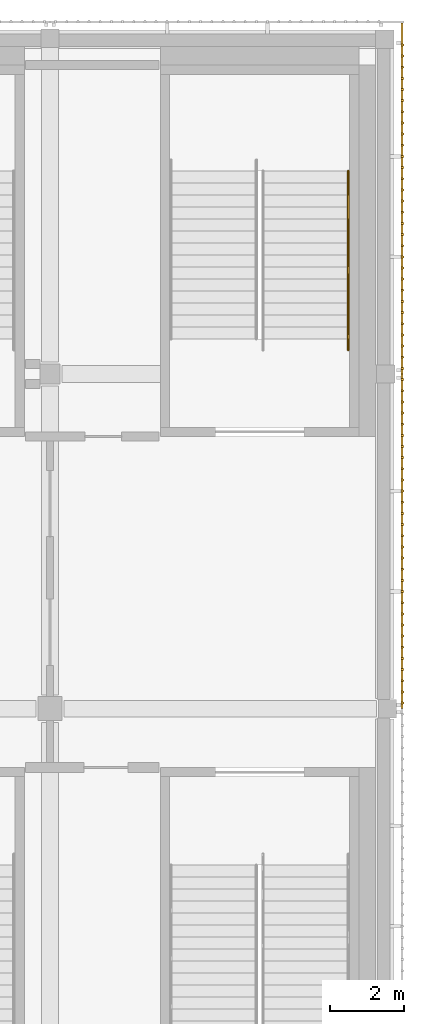
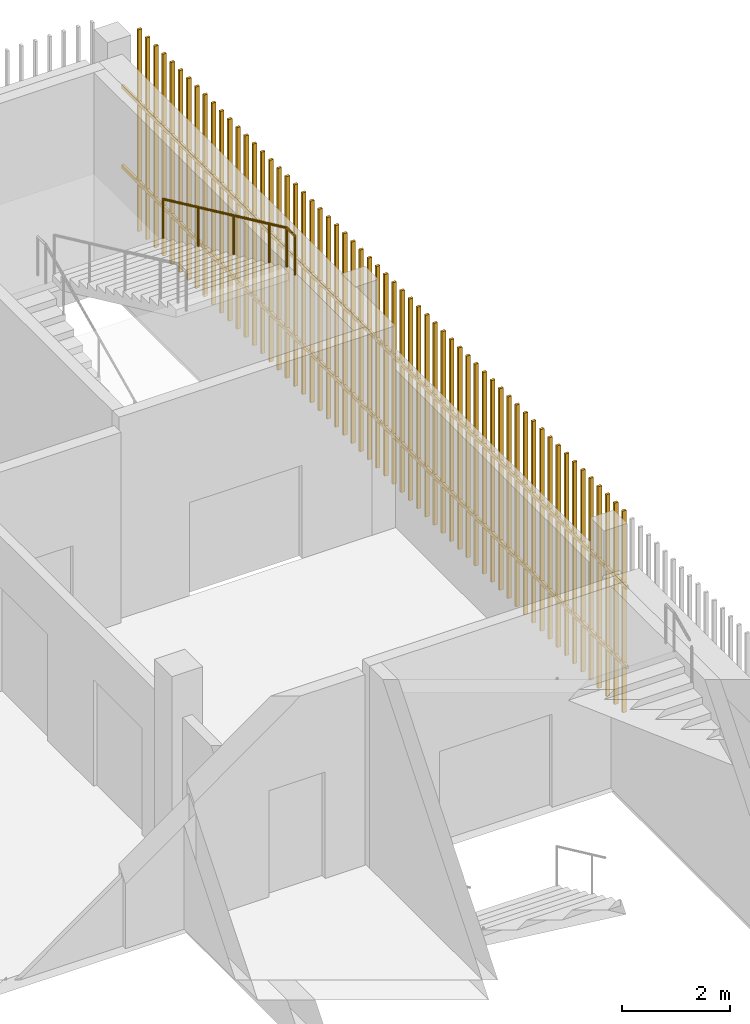
# One storey, part 136 of 139: 2 shading devices, 1 railing.
"""IFC4 building model written with IfcOpenShell, lengths in metres."""

from ifc_helpers import new_model, si_unit, direction, frame, origin, origin_2d, place, context, subcontext, project, spatial, rectangle, circle, extrude, material, type_object, element, save


model = new_model("IFC4")

# Units and contexts
model_context = context("Model", 3, precision=1e-05, world=origin(), true_north=direction((0.0, 1.0)))
body_context = subcontext(model_context, "Body", "Model", "MODEL_VIEW")
ifc_project = project(units=[si_unit("LENGTHUNIT", "METRE"), si_unit("AREAUNIT", "SQUARE_METRE"), si_unit("VOLUMEUNIT", "CUBIC_METRE"), si_unit("PLANEANGLEUNIT", "RADIAN"), si_unit("MASSUNIT", "GRAM", prefix="KILO")], contexts=[model_context])

# Site, building, storey
site_placement = place(None, origin())
site = spatial("IfcSite", under=ifc_project, at=site_placement, CompositionType="ELEMENT")
building_placement = place(site_placement, origin())
building = spatial("IfcBuilding", under=site, at=building_placement, Name="Shirokan Park Arena", CompositionType="ELEMENT")
storey_placement = place(building_placement, frame((0.0, 0.0, 15.469970703125)))
storey = spatial("IfcBuildingStorey", under=building, at=storey_placement, Name="L03", CompositionType="ELEMENT", Elevation=15.469970703125)

# Railing
ifc_material_1 = material(Name="Stainless steel", Category="steel")
railing_type = type_object("IfcRailingType", Name="Stair handrail 900", PredefinedType="HANDRAIL", material=ifc_material_1)
railing_placement = place(storey_placement, frame((144.610107421875, 105.623779296875, 2.4267578125)))
element("IfcRailing", 1, at=railing_placement, inside=storey, type_object=railing_type, Name="Handrail Exit Stair 3.A L03 to L04", PredefinedType="HANDRAIL", context=body_context, shape_type="SweptSolid", body=[
    extrude(circle(Radius=0.02392578125, at=origin_2d()), frame((0.0, 0.0, 0.8759765625), z_axis=(0.0, -0.907029769225, 0.421066500378), x_axis=(1.0, 0.0, 0.0)), (0.0, 0.0, 1.0), 1.44091796875),
    extrude(circle(Radius=0.02392578125, at=origin_2d()), frame((0.0, -1.306884765625, 1.482421875), z_axis=(0.0, -0.906999720516, 0.421131222998), x_axis=(1.0, 0.0, 0.0)), (0.0, 0.0, 1.0), 1.440673828125),
    extrude(circle(Radius=0.02392578125, at=origin_2d()), frame((0.0, -2.613525390625, 2.08935546875), z_axis=(0.0, -0.907094476872, 0.420927083981), x_axis=(1.0, 0.0, 0.0)), (0.0, 0.0, 1.0), 1.440673828125),
    extrude(circle(Radius=0.02392578125, at=origin_2d()), frame((0.0, -3.92041015625, 2.69580078125), z_axis=(0.0, -0.906934982928, 0.421270621741), x_axis=(1.0, 0.0, 0.0)), (0.0, 0.0, 1.0), 0.720458984375),
    extrude(circle(Radius=0.02392578125, at=origin_2d()), frame((0.0, -4.57373046875, 2.9990234375), z_axis=(0.0, -1.0, 0.0), x_axis=(1.0, 0.0, 0.0)), (0.0, 0.0, 1.0), 0.300048828125),
    extrude(circle(Radius=0.02099609375, at=origin_2d()), origin(), (0.0, 0.0, 1.0), 0.851806640625),
    extrude(circle(Radius=0.02099609375, at=origin_2d()), frame((0.0, -1.306884765625, 0.606689453125)), (0.0, 0.0, 1.0), 0.851806640625),
    extrude(circle(Radius=0.02099609375, at=origin_2d()), frame((0.0, -2.613525390625, 1.21337890625)), (0.0, 0.0, 1.0), 0.851806640625),
    extrude(circle(Radius=0.02099609375, at=origin_2d()), frame((0.0, -3.92041015625, 1.81982421875)), (0.0, 0.0, 1.0), 0.851806640625),
    extrude(circle(Radius=0.02099609375, at=origin_2d()), frame((0.0, -4.57373046875, 2.123291015625)), (0.0, 0.0, 1.0), 0.851806640625),
    extrude(circle(Radius=0.02099609375, at=origin_2d()), frame((0.0, -4.873779296875, 2.123291015625)), (0.0, 0.0, 1.0), 0.851806640625),
])

# Shading devices
ifc_material_2 = material(Name="Timber louvre veil (cedar)", Category="wood")
shading_device_type = type_object("IfcShadingDeviceType", Name="Timber louvre veil panel", PredefinedType="JALOUSIE", material=ifc_material_2)
shading_device_1_placement = place(storey_placement, origin())
element("IfcShadingDevice", 2, at=shading_device_1_placement, inside=storey, type_object=shading_device_type, Name="Timber louvre veil east bay 11 L03", PredefinedType="JALOUSIE", context=body_context, shape_type="SweptSolid", body=[
    extrude(rectangle(XDim=0.050048828125, YDim=0.080078125, at=origin_2d()), frame((146.0849609375, 91.151611328125, 0.0), z_axis=(0.0, 0.0, 1.0), x_axis=(0.0, 1.0, 0.0)), (0.0, 0.0, 1.0), 4.550048828125),
    extrude(rectangle(XDim=0.050048828125, YDim=0.080078125, at=origin_2d()), frame((146.0849609375, 91.455078125, 0.0), z_axis=(0.0, 0.0, 1.0), x_axis=(0.0, 1.0, 0.0)), (0.0, 0.0, 1.0), 4.550048828125),
    extrude(rectangle(XDim=0.050048828125, YDim=0.080078125, at=origin_2d()), frame((146.0849609375, 91.75830078125, 0.0), z_axis=(0.0, 0.0, 1.0), x_axis=(0.0, 1.0, 0.0)), (0.0, 0.0, 1.0), 4.550048828125),
    extrude(rectangle(XDim=0.050048828125, YDim=0.080078125, at=origin_2d()), frame((146.0849609375, 92.061767578125, 0.0), z_axis=(0.0, 0.0, 1.0), x_axis=(0.0, 1.0, 0.0)), (0.0, 0.0, 1.0), 4.550048828125),
    extrude(rectangle(XDim=0.050048828125, YDim=0.080078125, at=origin_2d()), frame((146.0849609375, 92.364990234375, 0.0), z_axis=(0.0, 0.0, 1.0), x_axis=(0.0, 1.0, 0.0)), (0.0, 0.0, 1.0), 4.550048828125),
    extrude(rectangle(XDim=0.050048828125, YDim=0.080078125, at=origin_2d()), frame((146.0849609375, 92.668212890625, 0.0), z_axis=(0.0, 0.0, 1.0), x_axis=(0.0, 1.0, 0.0)), (0.0, 0.0, 1.0), 4.550048828125),
    extrude(rectangle(XDim=0.050048828125, YDim=0.080078125, at=origin_2d()), frame((146.0849609375, 92.9716796875, 0.0), z_axis=(0.0, 0.0, 1.0), x_axis=(0.0, 1.0, 0.0)), (0.0, 0.0, 1.0), 4.550048828125),
    extrude(rectangle(XDim=0.050048828125, YDim=0.080078125, at=origin_2d()), frame((146.0849609375, 93.27490234375, 0.0), z_axis=(0.0, 0.0, 1.0), x_axis=(0.0, 1.0, 0.0)), (0.0, 0.0, 1.0), 4.550048828125),
    extrude(rectangle(XDim=0.050048828125, YDim=0.080078125, at=origin_2d()), frame((146.0849609375, 93.578369140625, 0.0), z_axis=(0.0, 0.0, 1.0), x_axis=(0.0, 1.0, 0.0)), (0.0, 0.0, 1.0), 4.550048828125),
    extrude(rectangle(XDim=0.050048828125, YDim=0.080078125, at=origin_2d()), frame((146.0849609375, 93.881591796875, 0.0), z_axis=(0.0, 0.0, 1.0), x_axis=(0.0, 1.0, 0.0)), (0.0, 0.0, 1.0), 4.550048828125),
    extrude(rectangle(XDim=0.050048828125, YDim=0.080078125, at=origin_2d()), frame((146.0849609375, 94.18505859375, 0.0), z_axis=(0.0, 0.0, 1.0), x_axis=(0.0, 1.0, 0.0)), (0.0, 0.0, 1.0), 4.550048828125),
    extrude(rectangle(XDim=0.050048828125, YDim=0.080078125, at=origin_2d()), frame((146.0849609375, 94.48828125, 0.0), z_axis=(0.0, 0.0, 1.0), x_axis=(0.0, 1.0, 0.0)), (0.0, 0.0, 1.0), 4.550048828125),
    extrude(rectangle(XDim=0.050048828125, YDim=0.080078125, at=origin_2d()), frame((146.0849609375, 94.791748046875, 0.0), z_axis=(0.0, 0.0, 1.0), x_axis=(0.0, 1.0, 0.0)), (0.0, 0.0, 1.0), 4.550048828125),
    extrude(rectangle(XDim=0.050048828125, YDim=0.080078125, at=origin_2d()), frame((146.0849609375, 95.094970703125, 0.0), z_axis=(0.0, 0.0, 1.0), x_axis=(0.0, 1.0, 0.0)), (0.0, 0.0, 1.0), 4.550048828125),
    extrude(rectangle(XDim=0.050048828125, YDim=0.080078125, at=origin_2d()), frame((146.0849609375, 95.3984375, 0.0), z_axis=(0.0, 0.0, 1.0), x_axis=(0.0, 1.0, 0.0)), (0.0, 0.0, 1.0), 4.550048828125),
    extrude(rectangle(XDim=0.050048828125, YDim=0.080078125, at=origin_2d()), frame((146.0849609375, 95.70166015625, 0.0), z_axis=(0.0, 0.0, 1.0), x_axis=(0.0, 1.0, 0.0)), (0.0, 0.0, 1.0), 4.550048828125),
    extrude(rectangle(XDim=0.050048828125, YDim=0.080078125, at=origin_2d()), frame((146.0849609375, 96.0048828125, 0.0), z_axis=(0.0, 0.0, 1.0), x_axis=(0.0, 1.0, 0.0)), (0.0, 0.0, 1.0), 4.550048828125),
    extrude(rectangle(XDim=0.050048828125, YDim=0.080078125, at=origin_2d()), frame((146.0849609375, 96.308349609375, 0.0), z_axis=(0.0, 0.0, 1.0), x_axis=(0.0, 1.0, 0.0)), (0.0, 0.0, 1.0), 4.550048828125),
    extrude(rectangle(XDim=0.050048828125, YDim=0.080078125, at=origin_2d()), frame((146.0849609375, 96.611572265625, 0.0), z_axis=(0.0, 0.0, 1.0), x_axis=(0.0, 1.0, 0.0)), (0.0, 0.0, 1.0), 4.550048828125),
    extrude(rectangle(XDim=0.050048828125, YDim=0.080078125, at=origin_2d()), frame((146.0849609375, 96.9150390625, 0.0), z_axis=(0.0, 0.0, 1.0), x_axis=(0.0, 1.0, 0.0)), (0.0, 0.0, 1.0), 4.550048828125),
    extrude(rectangle(XDim=0.050048828125, YDim=0.080078125, at=origin_2d()), frame((146.0849609375, 97.21826171875, 0.0), z_axis=(0.0, 0.0, 1.0), x_axis=(0.0, 1.0, 0.0)), (0.0, 0.0, 1.0), 4.550048828125),
    extrude(rectangle(XDim=0.050048828125, YDim=0.080078125, at=origin_2d()), frame((146.0849609375, 97.521728515625, 0.0), z_axis=(0.0, 0.0, 1.0), x_axis=(0.0, 1.0, 0.0)), (0.0, 0.0, 1.0), 4.550048828125),
    extrude(rectangle(XDim=0.050048828125, YDim=0.080078125, at=origin_2d()), frame((146.0849609375, 97.824951171875, 0.0), z_axis=(0.0, 0.0, 1.0), x_axis=(0.0, 1.0, 0.0)), (0.0, 0.0, 1.0), 4.550048828125),
    extrude(rectangle(XDim=0.050048828125, YDim=0.080078125, at=origin_2d()), frame((146.0849609375, 98.12841796875, 0.0), z_axis=(0.0, 0.0, 1.0), x_axis=(0.0, 1.0, 0.0)), (0.0, 0.0, 1.0), 4.550048828125),
    extrude(rectangle(XDim=0.050048828125, YDim=0.080078125, at=origin_2d()), frame((146.0849609375, 98.431640625, 0.0), z_axis=(0.0, 0.0, 1.0), x_axis=(0.0, 1.0, 0.0)), (0.0, 0.0, 1.0), 4.550048828125),
    extrude(rectangle(XDim=0.050048828125, YDim=0.080078125, at=origin_2d()), frame((146.0849609375, 98.735107421875, 0.0), z_axis=(0.0, 0.0, 1.0), x_axis=(0.0, 1.0, 0.0)), (0.0, 0.0, 1.0), 4.550048828125),
    extrude(rectangle(XDim=0.050048828125, YDim=0.080078125, at=origin_2d()), frame((146.0849609375, 99.038330078125, 0.0), z_axis=(0.0, 0.0, 1.0), x_axis=(0.0, 1.0, 0.0)), (0.0, 0.0, 1.0), 4.550048828125),
    extrude(rectangle(XDim=0.050048828125, YDim=0.080078125, at=origin_2d()), frame((146.0849609375, 99.341552734375, 0.0), z_axis=(0.0, 0.0, 1.0), x_axis=(0.0, 1.0, 0.0)), (0.0, 0.0, 1.0), 4.550048828125),
    extrude(rectangle(XDim=0.050048828125, YDim=0.080078125, at=origin_2d()), frame((146.0849609375, 99.64501953125, 0.0), z_axis=(0.0, 0.0, 1.0), x_axis=(0.0, 1.0, 0.0)), (0.0, 0.0, 1.0), 4.550048828125),
    extrude(rectangle(XDim=0.050048828125, YDim=0.080078125, at=origin_2d()), frame((146.0849609375, 99.9482421875, 0.0), z_axis=(0.0, 0.0, 1.0), x_axis=(0.0, 1.0, 0.0)), (0.0, 0.0, 1.0), 4.550048828125),
    extrude(rectangle(XDim=9.10009765625, YDim=0.050048828125, at=origin_2d()), frame((146.070068359375, 95.550048828125, 1.06005859375), z_axis=(0.0, 0.0, 1.0), x_axis=(0.0, 1.0, 0.0)), (0.0, 0.0, 1.0), 0.080078125),
    extrude(rectangle(XDim=9.10009765625, YDim=0.050048828125, at=origin_2d()), frame((146.070068359375, 95.550048828125, 2.860107421875), z_axis=(0.0, 0.0, 1.0), x_axis=(0.0, 1.0, 0.0)), (0.0, 0.0, 1.0), 0.080078125),
])
shading_device_2_placement = place(storey_placement, origin())
element("IfcShadingDevice", 3, at=shading_device_2_placement, inside=storey, type_object=shading_device_type, Name="Timber louvre veil east bay 12 L03", PredefinedType="JALOUSIE", context=body_context, shape_type="SweptSolid", body=[
    extrude(rectangle(XDim=0.050048828125, YDim=0.080078125, at=origin_2d()), frame((146.0849609375, 100.251708984375, 0.0), z_axis=(0.0, 0.0, 1.0), x_axis=(0.0, 1.0, 0.0)), (0.0, 0.0, 1.0), 4.550048828125),
    extrude(rectangle(XDim=0.050048828125, YDim=0.080078125, at=origin_2d()), frame((146.0849609375, 100.554931640625, 0.0), z_axis=(0.0, 0.0, 1.0), x_axis=(0.0, 1.0, 0.0)), (0.0, 0.0, 1.0), 4.550048828125),
    extrude(rectangle(XDim=0.050048828125, YDim=0.080078125, at=origin_2d()), frame((146.0849609375, 100.8583984375, 0.0), z_axis=(0.0, 0.0, 1.0), x_axis=(0.0, 1.0, 0.0)), (0.0, 0.0, 1.0), 4.550048828125),
    extrude(rectangle(XDim=0.050048828125, YDim=0.080078125, at=origin_2d()), frame((146.0849609375, 101.16162109375, 0.0), z_axis=(0.0, 0.0, 1.0), x_axis=(0.0, 1.0, 0.0)), (0.0, 0.0, 1.0), 4.550048828125),
    extrude(rectangle(XDim=0.050048828125, YDim=0.080078125, at=origin_2d()), frame((146.0849609375, 101.465087890625, 0.0), z_axis=(0.0, 0.0, 1.0), x_axis=(0.0, 1.0, 0.0)), (0.0, 0.0, 1.0), 4.550048828125),
    extrude(rectangle(XDim=0.050048828125, YDim=0.080078125, at=origin_2d()), frame((146.0849609375, 101.768310546875, 0.0), z_axis=(0.0, 0.0, 1.0), x_axis=(0.0, 1.0, 0.0)), (0.0, 0.0, 1.0), 4.550048828125),
    extrude(rectangle(XDim=0.050048828125, YDim=0.080078125, at=origin_2d()), frame((146.0849609375, 102.07177734375, 0.0), z_axis=(0.0, 0.0, 1.0), x_axis=(0.0, 1.0, 0.0)), (0.0, 0.0, 1.0), 4.550048828125),
    extrude(rectangle(XDim=0.050048828125, YDim=0.080078125, at=origin_2d()), frame((146.0849609375, 102.375, 0.0), z_axis=(0.0, 0.0, 1.0), x_axis=(0.0, 1.0, 0.0)), (0.0, 0.0, 1.0), 4.550048828125),
    extrude(rectangle(XDim=0.050048828125, YDim=0.080078125, at=origin_2d()), frame((146.0849609375, 102.67822265625, 0.0), z_axis=(0.0, 0.0, 1.0), x_axis=(0.0, 1.0, 0.0)), (0.0, 0.0, 1.0), 4.550048828125),
    extrude(rectangle(XDim=0.050048828125, YDim=0.080078125, at=origin_2d()), frame((146.0849609375, 102.981689453125, 0.0), z_axis=(0.0, 0.0, 1.0), x_axis=(0.0, 1.0, 0.0)), (0.0, 0.0, 1.0), 4.550048828125),
    extrude(rectangle(XDim=0.050048828125, YDim=0.080078125, at=origin_2d()), frame((146.0849609375, 103.284912109375, 0.0), z_axis=(0.0, 0.0, 1.0), x_axis=(0.0, 1.0, 0.0)), (0.0, 0.0, 1.0), 4.550048828125),
    extrude(rectangle(XDim=0.050048828125, YDim=0.080078125, at=origin_2d()), frame((146.0849609375, 103.58837890625, 0.0), z_axis=(0.0, 0.0, 1.0), x_axis=(0.0, 1.0, 0.0)), (0.0, 0.0, 1.0), 4.550048828125),
    extrude(rectangle(XDim=0.050048828125, YDim=0.080078125, at=origin_2d()), frame((146.0849609375, 103.8916015625, 0.0), z_axis=(0.0, 0.0, 1.0), x_axis=(0.0, 1.0, 0.0)), (0.0, 0.0, 1.0), 4.550048828125),
    extrude(rectangle(XDim=0.050048828125, YDim=0.080078125, at=origin_2d()), frame((146.0849609375, 104.195068359375, 0.0), z_axis=(0.0, 0.0, 1.0), x_axis=(0.0, 1.0, 0.0)), (0.0, 0.0, 1.0), 4.550048828125),
    extrude(rectangle(XDim=0.050048828125, YDim=0.080078125, at=origin_2d()), frame((146.0849609375, 104.498291015625, 0.0), z_axis=(0.0, 0.0, 1.0), x_axis=(0.0, 1.0, 0.0)), (0.0, 0.0, 1.0), 4.550048828125),
    extrude(rectangle(XDim=0.050048828125, YDim=0.080078125, at=origin_2d()), frame((146.0849609375, 104.8017578125, 0.0), z_axis=(0.0, 0.0, 1.0), x_axis=(0.0, 1.0, 0.0)), (0.0, 0.0, 1.0), 4.550048828125),
    extrude(rectangle(XDim=0.050048828125, YDim=0.080078125, at=origin_2d()), frame((146.0849609375, 105.10498046875, 0.0), z_axis=(0.0, 0.0, 1.0), x_axis=(0.0, 1.0, 0.0)), (0.0, 0.0, 1.0), 4.550048828125),
    extrude(rectangle(XDim=0.050048828125, YDim=0.080078125, at=origin_2d()), frame((146.0849609375, 105.408447265625, 0.0), z_axis=(0.0, 0.0, 1.0), x_axis=(0.0, 1.0, 0.0)), (0.0, 0.0, 1.0), 4.550048828125),
    extrude(rectangle(XDim=0.050048828125, YDim=0.080078125, at=origin_2d()), frame((146.0849609375, 105.711669921875, 0.0), z_axis=(0.0, 0.0, 1.0), x_axis=(0.0, 1.0, 0.0)), (0.0, 0.0, 1.0), 4.550048828125),
    extrude(rectangle(XDim=0.050048828125, YDim=0.080078125, at=origin_2d()), frame((146.0849609375, 106.014892578125, 0.0), z_axis=(0.0, 0.0, 1.0), x_axis=(0.0, 1.0, 0.0)), (0.0, 0.0, 1.0), 4.550048828125),
    extrude(rectangle(XDim=0.050048828125, YDim=0.080078125, at=origin_2d()), frame((146.0849609375, 106.318359375, 0.0), z_axis=(0.0, 0.0, 1.0), x_axis=(0.0, 1.0, 0.0)), (0.0, 0.0, 1.0), 4.550048828125),
    extrude(rectangle(XDim=0.050048828125, YDim=0.080078125, at=origin_2d()), frame((146.0849609375, 106.62158203125, 0.0), z_axis=(0.0, 0.0, 1.0), x_axis=(0.0, 1.0, 0.0)), (0.0, 0.0, 1.0), 4.550048828125),
    extrude(rectangle(XDim=0.050048828125, YDim=0.080078125, at=origin_2d()), frame((146.0849609375, 106.925048828125, 0.0), z_axis=(0.0, 0.0, 1.0), x_axis=(0.0, 1.0, 0.0)), (0.0, 0.0, 1.0), 4.550048828125),
    extrude(rectangle(XDim=0.050048828125, YDim=0.080078125, at=origin_2d()), frame((146.0849609375, 107.228271484375, 0.0), z_axis=(0.0, 0.0, 1.0), x_axis=(0.0, 1.0, 0.0)), (0.0, 0.0, 1.0), 4.550048828125),
    extrude(rectangle(XDim=0.050048828125, YDim=0.080078125, at=origin_2d()), frame((146.0849609375, 107.53173828125, 0.0), z_axis=(0.0, 0.0, 1.0), x_axis=(0.0, 1.0, 0.0)), (0.0, 0.0, 1.0), 4.550048828125),
    extrude(rectangle(XDim=0.050048828125, YDim=0.080078125, at=origin_2d()), frame((146.0849609375, 107.8349609375, 0.0), z_axis=(0.0, 0.0, 1.0), x_axis=(0.0, 1.0, 0.0)), (0.0, 0.0, 1.0), 4.550048828125),
    extrude(rectangle(XDim=0.050048828125, YDim=0.080078125, at=origin_2d()), frame((146.0849609375, 108.138427734375, 0.0), z_axis=(0.0, 0.0, 1.0), x_axis=(0.0, 1.0, 0.0)), (0.0, 0.0, 1.0), 4.550048828125),
    extrude(rectangle(XDim=0.050048828125, YDim=0.080078125, at=origin_2d()), frame((146.0849609375, 108.441650390625, 0.0), z_axis=(0.0, 0.0, 1.0), x_axis=(0.0, 1.0, 0.0)), (0.0, 0.0, 1.0), 4.550048828125),
    extrude(rectangle(XDim=0.050048828125, YDim=0.080078125, at=origin_2d()), frame((146.0849609375, 108.7451171875, 0.0), z_axis=(0.0, 0.0, 1.0), x_axis=(0.0, 1.0, 0.0)), (0.0, 0.0, 1.0), 4.550048828125),
    extrude(rectangle(XDim=0.050048828125, YDim=0.080078125, at=origin_2d()), frame((146.0849609375, 109.04833984375, 0.0), z_axis=(0.0, 0.0, 1.0), x_axis=(0.0, 1.0, 0.0)), (0.0, 0.0, 1.0), 4.550048828125),
    extrude(rectangle(XDim=9.544921875, YDim=0.050048828125, at=origin_2d()), frame((146.070068359375, 104.87255859375, 1.06005859375), z_axis=(0.0, 0.0, 1.0), x_axis=(0.0, 1.0, 0.0)), (0.0, 0.0, 1.0), 0.080078125),
    extrude(rectangle(XDim=9.544921875, YDim=0.050048828125, at=origin_2d()), frame((146.070068359375, 104.87255859375, 2.860107421875), z_axis=(0.0, 0.0, 1.0), x_axis=(0.0, 1.0, 0.0)), (0.0, 0.0, 1.0), 0.080078125),
])

save(model, "model.ifc")
